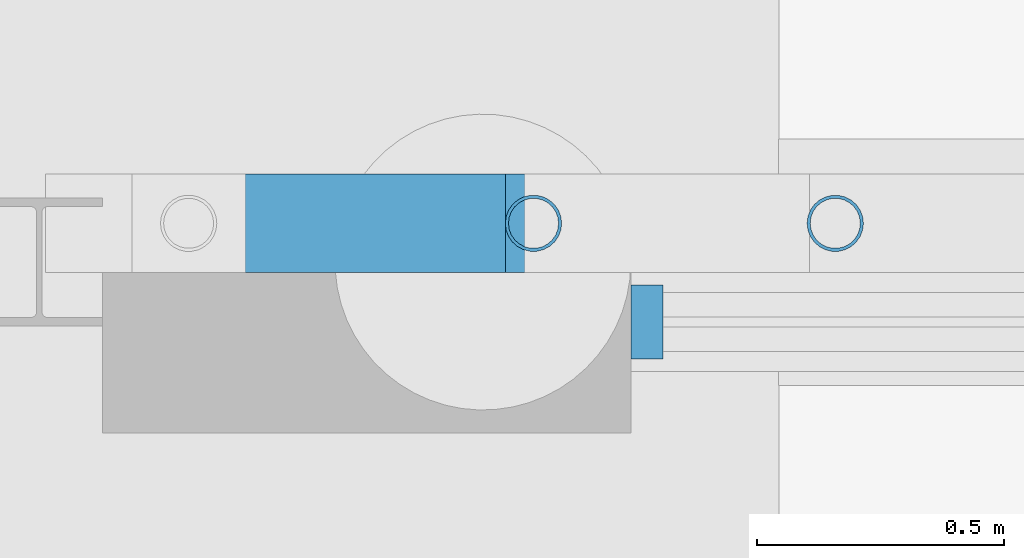
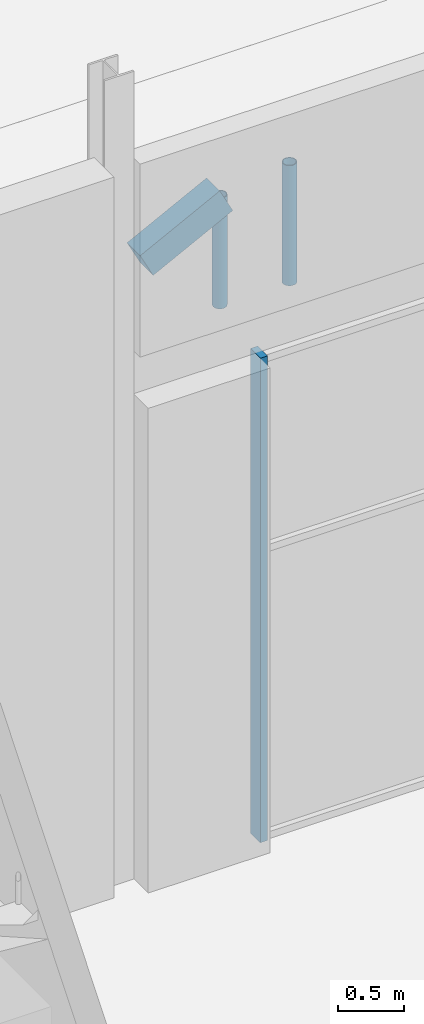
# One storey, part 50 of 250: 3 members, 1 beam, 1 element without a shape of its own.
"""IFC4 building model written with IfcOpenShell, lengths in metres."""

from ifc_helpers import new_model, si_unit, direction, frame, origin, origin_2d, place, context, subcontext, project, spatial, rectangle, hollow_circle, extrude, material, material_profile, profile_set, type_object, element, aggregate, save


model = new_model("IFC4")

# Units and contexts
model_context = context("Model", 3, precision=1e-05, world=origin(), true_north=direction((0.0, 1.0)))
body_context = subcontext(model_context, "Body", "Model", "MODEL_VIEW")
ifc_project = project(units=[si_unit("LENGTHUNIT", "METRE"), si_unit("AREAUNIT", "SQUARE_METRE"), si_unit("VOLUMEUNIT", "CUBIC_METRE"), si_unit("PLANEANGLEUNIT", "RADIAN"), si_unit("MASSUNIT", "GRAM", prefix="KILO")], contexts=[model_context])

# Site, building, storey
site_placement = place(None, origin())
site = spatial("IfcSite", under=ifc_project, at=site_placement, CompositionType="ELEMENT")
building_placement = place(site_placement, origin())
building = spatial("IfcBuilding", under=site, at=building_placement, Name="Baradari Gate Terminus", CompositionType="ELEMENT")
storey_placement = place(building_placement, origin())
storey = spatial("IfcBuildingStorey", under=building, at=storey_placement, Name="L00", CompositionType="ELEMENT", Elevation=0.0)

# Members
ifc_material_1 = material(Name="Steel S355", Category="steel")
ifc_material_profile_1 = material_profile(ifc_material_1, hollow_circle(Radius=0.05712890625, WallThickness=0.00634765625, at=origin_2d()), Name="CHS 114.3x6.3")
ifc_profile_set_1 = profile_set([ifc_material_profile_1], Name="Steel S355")
member_type_1 = type_object("IfcMemberType", Name="Arcade arch post SP-2 114x6.3", PredefinedType="POST", material=ifc_profile_set_1)
member_1_placement = place(storey_placement, frame((127.00244140625, 108.07861328125, 4.89990234375), z_axis=(0.0, 0.0, 1.0), x_axis=(1.0, 0.0, 0.0)))
element("IfcMember", 1, at=member_1_placement, inside=storey, type_object=member_type_1, Name="Arcade arch post 14.3", PredefinedType="POST", context=body_context, shape_type="SweptSolid", body=[
    extrude(hollow_circle(Radius=0.05712890625, WallThickness=0.00634765625, at=origin_2d()), origin(), (0.0, 0.0, 1.0), 1.02587890625),
])
member_2_placement = place(storey_placement, frame((127.614501953125, 108.07861328125, 4.89990234375), z_axis=(0.0, 0.0, 1.0), x_axis=(1.0, 0.0, 0.0)))
element("IfcMember", 2, at=member_2_placement, inside=storey, type_object=member_type_1, Name="Arcade arch post 14.4", PredefinedType="POST", context=body_context, shape_type="SweptSolid", body=[
    extrude(hollow_circle(Radius=0.05712890625, WallThickness=0.00634765625, at=origin_2d()), origin(), (0.0, 0.0, 1.0), 1.115478515625),
])

# Beam
ifc_material_2 = material(Name="Concrete C40/50 precast", Category="concrete")
ifc_material_profile_2 = material_profile(ifc_material_2, rectangle(XDim=0.199951171875, YDim=0.25, at=origin_2d()), Name="AB-1 200X250")
ifc_profile_set_2 = profile_set([ifc_material_profile_2], Name="Concrete C40/50 precast")
beam_type = type_object("IfcBeamType", Name="Arcade arch segment AB-1 200x250", PredefinedType="BEAM", material=ifc_profile_set_2)
beam_placement = place(storey_placement, frame((126.302978515625, 108.07861328125, 5.56787109375), z_axis=(0.89022472097, 0.0, 0.455521619875), x_axis=(0.0, 1.0, 0.0)))
element("IfcBeam", 3, at=beam_placement, inside=storey, type_object=beam_type, Name="Arcade arch AB-1 bay 14 segment 2", PredefinedType="BEAM", context=body_context, shape_type="SweptSolid", body=[
    extrude(rectangle(XDim=0.199951171875, YDim=0.25, at=origin_2d()), origin(), (0.0, 0.0, 1.0), 0.78564453125),
])

# Curtain wall, member
ifc_material_3 = material(Name="Aluminium 6063-T6", Category="aluminium")
curtain_wall_type = type_object("IfcCurtainWallType", Name="Curtain wall CW-2 shopfront", PredefinedType="NOTDEFINED", material=ifc_material_3)
curtain_wall_placement = place(storey_placement, origin())
curtain_wall = element("IfcCurtainWall", 4, at=curtain_wall_placement, inside=storey, type_object=curtain_wall_type, Name="Shopfront curtain wall CW-2 HN bay 14 L00", PredefinedType="NOTDEFINED")
ifc_material_4 = material(Name="Aluminium 6063-T6", Category="aluminium")
ifc_material_profile_3 = material_profile(ifc_material_4, rectangle(XDim=0.14990234375, YDim=0.06494140625, at=origin_2d()), Name="CM-2 65X150")
ifc_profile_set_3 = profile_set([ifc_material_profile_3], Name="Aluminium 6063-T6")
member_type_2 = type_object("IfcMemberType", Name="Curtain wall mullion CM-2 65x150", PredefinedType="MULLION", material=ifc_profile_set_3)
member_3_placement = place(storey_placement, frame((127.232421875, 107.87841796875, 0.0), z_axis=(0.0, 0.0, 1.0), x_axis=(0.0, 1.0, 0.0)))
member_3 = element("IfcMember", 5, at=member_3_placement, type_object=member_type_2, Name="CW-2 mullion 1", PredefinedType="MULLION", context=body_context, shape_type="SweptSolid", body=[
    extrude(rectangle(XDim=0.14990234375, YDim=0.06494140625, at=origin_2d()), origin(), (0.0, 0.0, 1.0), 4.5),
])
aggregate(curtain_wall, [member_3])

save(model, "model.ifc")
